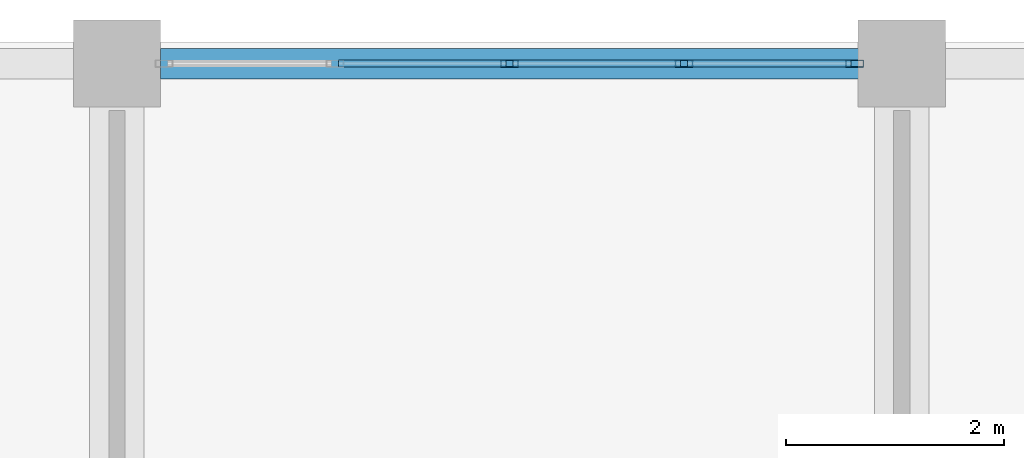
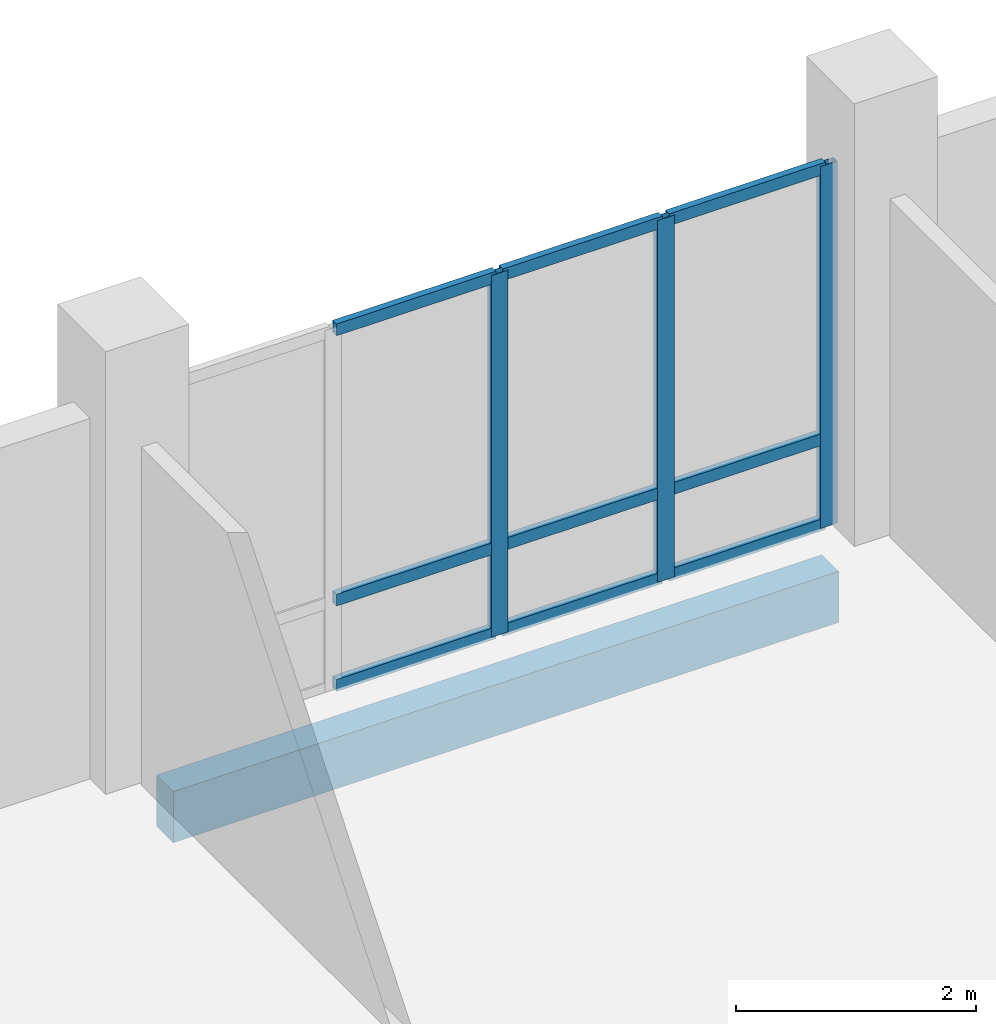
# One storey, part 60 of 139: 12 members, 1 beam, 1 element without a shape of its own.
"""IFC4 building model written with IfcOpenShell, lengths in metres."""

from ifc_helpers import new_model, si_unit, direction, frame, origin, origin_2d, place, context, subcontext, project, spatial, rectangle, hollow_rectangle, extrude, material, material_profile, profile_set, type_object, element, aggregate, save


model = new_model("IFC4")

# Units and contexts
model_context = context("Model", 3, precision=1e-05, world=origin(), true_north=direction((0.0, 1.0)))
body_context = subcontext(model_context, "Body", "Model", "MODEL_VIEW")
ifc_project = project(units=[si_unit("LENGTHUNIT", "METRE"), si_unit("AREAUNIT", "SQUARE_METRE"), si_unit("VOLUMEUNIT", "CUBIC_METRE"), si_unit("PLANEANGLEUNIT", "RADIAN"), si_unit("MASSUNIT", "GRAM", prefix="KILO")], contexts=[model_context])

# Site, building, storey
site_placement = place(None, origin())
site = spatial("IfcSite", under=ifc_project, at=site_placement, CompositionType="ELEMENT")
building_placement = place(site_placement, origin())
building = spatial("IfcBuilding", under=site, at=building_placement, Name="Suanplinth Sawtooth Commons", CompositionType="ELEMENT")
storey_placement = place(building_placement, origin())
storey = spatial("IfcBuildingStorey", under=building, at=storey_placement, Name="L00", CompositionType="ELEMENT", Elevation=0.0)

# Beam
ifc_material_1 = material(Name="Precast concrete C40/50", Category="concrete")
ifc_material_profile_1 = material_profile(ifc_material_1, rectangle(XDim=0.280029296875, YDim=0.52001953125, at=origin_2d()), Name="PC-SP 280x520")
ifc_profile_set_1 = profile_set([ifc_material_profile_1], Name="Precast concrete C40/50")
beam_type = type_object("IfcBeamType", Name="B-08", PredefinedType="SPANDREL", material=ifc_profile_set_1)
beam_placement = place(storey_placement, frame((72.39990234375, 122.39990234375, -0.669921875), z_axis=(1.0, 0.0, 0.0), x_axis=(0.0, 1.0, 0.0)))
element("IfcBeam", 1, at=beam_placement, inside=storey, type_object=beam_type, Name="BMX-L00-A-10-17", PredefinedType="SPANDREL", context=body_context, shape_type="SweptSolid", body=[
    extrude(rectangle(XDim=0.280029296875, YDim=0.52001953125, at=origin_2d()), origin(), (0.0, 0.0, 1.0), 6.400146484375),
])

# Curtain wall, members
ifc_material_2 = material(Name="Anodized aluminium and low-E glazing", Category="aluminium")
curtain_wall_type = type_object("IfcCurtainWallType", Name="CW-04", PredefinedType="USERDEFINED", material=ifc_material_2)
curtain_wall_placement = place(storey_placement, origin())
curtain_wall = element("IfcCurtainWall", 2, at=curtain_wall_placement, inside=storey, type_object=curtain_wall_type, Name="Curtain Wall CW-L00-A-N-10", ObjectType="CURTAIN WALL", PredefinedType="USERDEFINED")
ifc_material_3 = material(Name="Anodized aluminium 6063-T6", Category="aluminium")
ifc_material_profile_2 = material_profile(ifc_material_3, hollow_rectangle(XDim=0.06494140625, YDim=0.159912109375, WallThickness=0.00390625, at=origin_2d()), Name="ALU-MUL 65x160")
ifc_profile_set_2 = profile_set([ifc_material_profile_2], Name="Anodized aluminium 6063-T6")
member_type_1 = type_object("IfcMemberType", Name="M-13", PredefinedType="MULLION", material=ifc_profile_set_2)
member_1_placement = place(storey_placement, frame((75.60009765625, 122.39990234375, 0.0), z_axis=(0.0, 0.0, 1.0), x_axis=(0.0, 1.0, 0.0)))
member_1 = element("IfcMember", 3, at=member_1_placement, type_object=member_type_1, Name="CW-04 mullion 3", PredefinedType="MULLION", context=body_context, shape_type="SweptSolid", body=[
    extrude(hollow_rectangle(XDim=0.06494140625, YDim=0.159912109375, WallThickness=0.00390625, at=origin_2d()), origin(), (0.0, 0.0, 1.0), 3.679931640625),
])
member_2_placement = place(storey_placement, frame((77.199951171875, 122.39990234375, 0.0), z_axis=(0.0, 0.0, 1.0), x_axis=(0.0, 1.0, 0.0)))
member_2 = element("IfcMember", 4, at=member_2_placement, type_object=member_type_1, Name="CW-04 mullion 4", PredefinedType="MULLION", context=body_context, shape_type="SweptSolid", body=[
    extrude(hollow_rectangle(XDim=0.06494140625, YDim=0.159912109375, WallThickness=0.00390625, at=origin_2d()), origin(), (0.0, 0.0, 1.0), 3.679931640625),
])
member_3_placement = place(storey_placement, frame((78.767578125, 122.39990234375, 0.0), z_axis=(0.0, 0.0, 1.0), x_axis=(0.0, 1.0, 0.0)))
member_3 = element("IfcMember", 5, at=member_3_placement, type_object=member_type_1, Name="CW-04 mullion 5", PredefinedType="MULLION", context=body_context, shape_type="SweptSolid", body=[
    extrude(hollow_rectangle(XDim=0.06494140625, YDim=0.159912109375, WallThickness=0.00390625, at=origin_2d()), origin(), (0.0, 0.0, 1.0), 3.679931640625),
])
ifc_material_profile_3 = material_profile(ifc_material_3, hollow_rectangle(XDim=0.06494140625, YDim=0.1201171875, WallThickness=0.00390625, at=origin_2d()), Name="ALU-TRN 65x120")
ifc_profile_set_3 = profile_set([ifc_material_profile_3], Name="Anodized aluminium 6063-T6")
member_type_2 = type_object("IfcMemberType", Name="M-15", PredefinedType="USERDEFINED", material=ifc_profile_set_3)
member_4_placement = place(storey_placement, frame((74.032470703125, 122.39990234375, 0.032470703125), z_axis=(1.0, 0.0, 0.0), x_axis=(0.0, 1.0, 0.0)))
member_4 = element("IfcMember", 6, at=member_4_placement, type_object=member_type_2, Name="CW-04 transom 2.1", ObjectType="TRANSOM", PredefinedType="USERDEFINED", context=body_context, shape_type="SweptSolid", body=[
    extrude(hollow_rectangle(XDim=0.06494140625, YDim=0.1201171875, WallThickness=0.00390625, at=origin_2d()), origin(), (0.0, 0.0, 1.0), 1.534912109375),
])
member_5_placement = place(storey_placement, frame((74.032470703125, 122.39990234375, 0.89990234375), z_axis=(1.0, 0.0, 0.0), x_axis=(0.0, 1.0, 0.0)))
member_5 = element("IfcMember", 7, at=member_5_placement, type_object=member_type_2, Name="CW-04 transom 2.2", ObjectType="TRANSOM", PredefinedType="USERDEFINED", context=body_context, shape_type="SweptSolid", body=[
    extrude(hollow_rectangle(XDim=0.06494140625, YDim=0.1201171875, WallThickness=0.00390625, at=origin_2d()), origin(), (0.0, 0.0, 1.0), 1.534912109375),
])
member_6_placement = place(storey_placement, frame((74.032470703125, 122.39990234375, 3.6474609375), z_axis=(1.0, 0.0, 0.0), x_axis=(0.0, 1.0, 0.0)))
member_6 = element("IfcMember", 8, at=member_6_placement, type_object=member_type_2, Name="CW-04 transom 2.3", ObjectType="TRANSOM", PredefinedType="USERDEFINED", context=body_context, shape_type="SweptSolid", body=[
    extrude(hollow_rectangle(XDim=0.06494140625, YDim=0.1201171875, WallThickness=0.00390625, at=origin_2d()), origin(), (0.0, 0.0, 1.0), 1.534912109375),
])
member_7_placement = place(storey_placement, frame((75.632568359375, 122.39990234375, 0.032470703125), z_axis=(1.0, 0.0, 0.0), x_axis=(0.0, 1.0, 0.0)))
member_7 = element("IfcMember", 9, at=member_7_placement, type_object=member_type_2, Name="CW-04 transom 3.1", ObjectType="TRANSOM", PredefinedType="USERDEFINED", context=body_context, shape_type="SweptSolid", body=[
    extrude(hollow_rectangle(XDim=0.06494140625, YDim=0.1201171875, WallThickness=0.00390625, at=origin_2d()), origin(), (0.0, 0.0, 1.0), 1.534912109375),
])
member_8_placement = place(storey_placement, frame((75.632568359375, 122.39990234375, 0.89990234375), z_axis=(1.0, 0.0, 0.0), x_axis=(0.0, 1.0, 0.0)))
member_8 = element("IfcMember", 10, at=member_8_placement, type_object=member_type_2, Name="CW-04 transom 3.2", ObjectType="TRANSOM", PredefinedType="USERDEFINED", context=body_context, shape_type="SweptSolid", body=[
    extrude(hollow_rectangle(XDim=0.06494140625, YDim=0.1201171875, WallThickness=0.00390625, at=origin_2d()), origin(), (0.0, 0.0, 1.0), 1.534912109375),
])
member_9_placement = place(storey_placement, frame((75.632568359375, 122.39990234375, 3.6474609375), z_axis=(1.0, 0.0, 0.0), x_axis=(0.0, 1.0, 0.0)))
member_9 = element("IfcMember", 11, at=member_9_placement, type_object=member_type_2, Name="CW-04 transom 3.3", ObjectType="TRANSOM", PredefinedType="USERDEFINED", context=body_context, shape_type="SweptSolid", body=[
    extrude(hollow_rectangle(XDim=0.06494140625, YDim=0.1201171875, WallThickness=0.00390625, at=origin_2d()), origin(), (0.0, 0.0, 1.0), 1.534912109375),
])
member_10_placement = place(storey_placement, frame((77.232421875, 122.39990234375, 0.032470703125), z_axis=(1.0, 0.0, 0.0), x_axis=(0.0, 1.0, 0.0)))
member_10 = element("IfcMember", 12, at=member_10_placement, type_object=member_type_2, Name="CW-04 transom 4.1", ObjectType="TRANSOM", PredefinedType="USERDEFINED", context=body_context, shape_type="SweptSolid", body=[
    extrude(hollow_rectangle(XDim=0.06494140625, YDim=0.1201171875, WallThickness=0.00390625, at=origin_2d()), origin(), (0.0, 0.0, 1.0), 1.502685546875),
])
member_11_placement = place(storey_placement, frame((77.232421875, 122.39990234375, 0.89990234375), z_axis=(1.0, 0.0, 0.0), x_axis=(0.0, 1.0, 0.0)))
member_11 = element("IfcMember", 13, at=member_11_placement, type_object=member_type_2, Name="CW-04 transom 4.2", ObjectType="TRANSOM", PredefinedType="USERDEFINED", context=body_context, shape_type="SweptSolid", body=[
    extrude(hollow_rectangle(XDim=0.06494140625, YDim=0.1201171875, WallThickness=0.00390625, at=origin_2d()), origin(), (0.0, 0.0, 1.0), 1.502685546875),
])
member_12_placement = place(storey_placement, frame((77.232421875, 122.39990234375, 3.6474609375), z_axis=(1.0, 0.0, 0.0), x_axis=(0.0, 1.0, 0.0)))
member_12 = element("IfcMember", 14, at=member_12_placement, type_object=member_type_2, Name="CW-04 transom 4.3", ObjectType="TRANSOM", PredefinedType="USERDEFINED", context=body_context, shape_type="SweptSolid", body=[
    extrude(hollow_rectangle(XDim=0.06494140625, YDim=0.1201171875, WallThickness=0.00390625, at=origin_2d()), origin(), (0.0, 0.0, 1.0), 1.502685546875),
])
aggregate(curtain_wall, [member_1, member_2, member_3, member_4, member_5, member_6, member_7, member_8, member_9, member_10, member_11, member_12])

save(model, "model.ifc")
